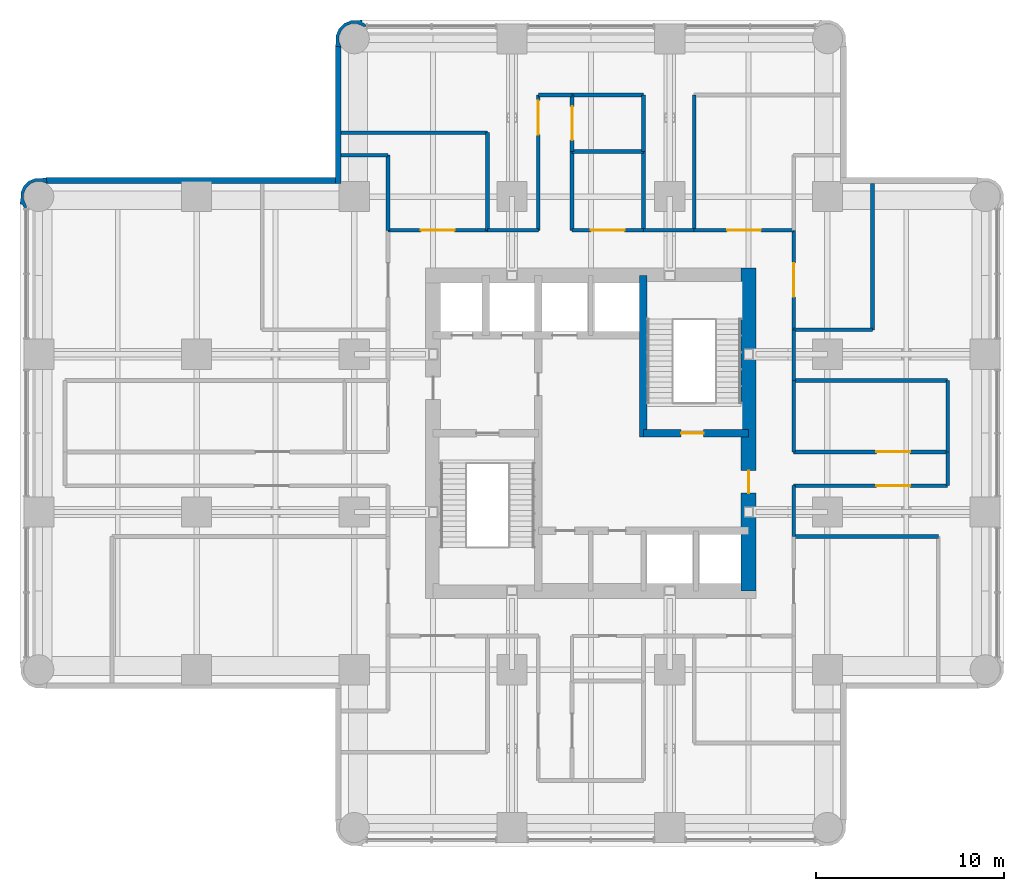
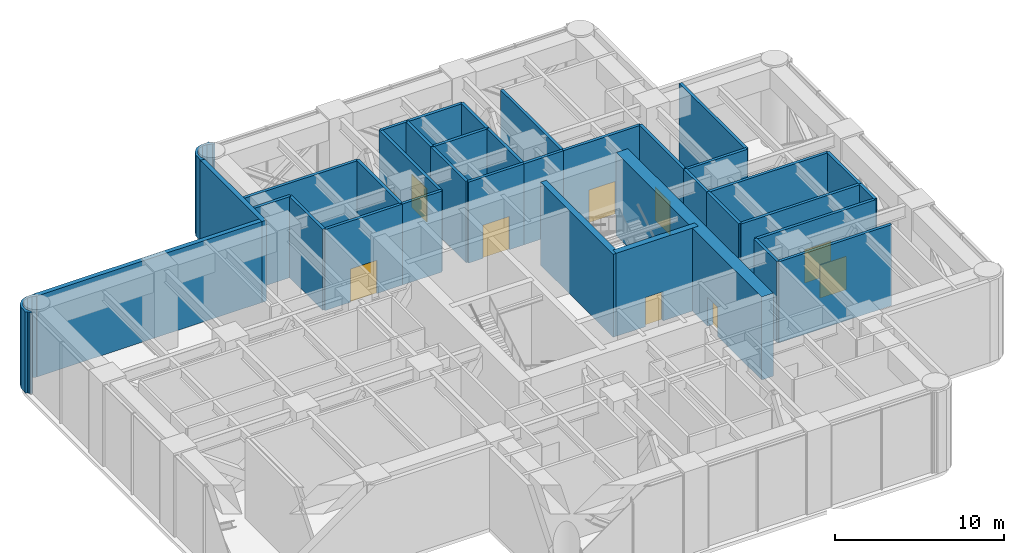
# One storey, part 9 of 12: 37 walls, 10 doors, 10 openings.
"""IFC4 building model written with IfcOpenShell, lengths in metres."""

from ifc_helpers import new_model, si_unit, direction, frame, frame_2d, origin, place, context, subcontext, project, spatial, polyline, rectangle, outline, extrude, material, layer, layer_set, type_object, element, fill, save


model = new_model("IFC4")

# Units and contexts
model_context = context("Model", 3, precision=1e-05, world=origin(), true_north=direction((0.0, 1.0)))
body_context = subcontext(model_context, "Body", "Model", "MODEL_VIEW")
ifc_project = project(units=[si_unit("LENGTHUNIT", "METRE"), si_unit("AREAUNIT", "SQUARE_METRE"), si_unit("VOLUMEUNIT", "CUBIC_METRE"), si_unit("PLANEANGLEUNIT", "RADIAN"), si_unit("MASSUNIT", "GRAM", prefix="KILO")], contexts=[model_context])

# Site, building, storey
site_placement = place(None, origin())
site = spatial("IfcSite", under=ifc_project, at=site_placement, CompositionType="ELEMENT")
building_placement = place(site_placement, origin())
building = spatial("IfcBuilding", under=site, at=building_placement, Name="Torre Alcanfor", CompositionType="ELEMENT")
storey_placement = place(building_placement, frame((0.0, 0.0, 248.10009765625)))
storey = spatial("IfcBuildingStorey", under=building, at=storey_placement, Name="L65", CompositionType="ELEMENT", Elevation=248.10009765625)

# Wall
ifc_material_1 = material(Name="Concrete f'c 70 MPa", Category="concrete")
ifc_layer_1 = layer(ifc_material_1, 0.39990234375)
ifc_layer_set_1 = layer_set([ifc_layer_1], Name="Core inner wall 400 f'c70")
wall_type_1 = type_object("IfcWallType", Name="Core inner wall 400 f'c70", PredefinedType="SHEAR", material=ifc_layer_set_1)
wall_1_placement = place(storey_placement, frame((32.199951171875, 29.199951171875, 0.0), z_axis=(0.0, 0.0, 1.0), x_axis=(0.0, 1.0, 0.0)))
element("IfcWall", 1, at=wall_1_placement, inside=storey, type_object=wall_type_1, Name="Core wall X322N L65", PredefinedType="SHEAR", context=body_context, shape_type="SweptSolid", body=[
    extrude(rectangle(XDim=8.60009765625, YDim=0.39990234375, at=frame_2d((4.300048828125, 0.0))), origin(), (0.0, 0.0, 1.0), 6.0),
])

# Wall, opening, door
wall_2_placement = place(storey_placement, frame((32.199951171875, 29.39990234375, 0.0), z_axis=(0.0, 0.0, 1.0), x_axis=(1.0, 0.0, 0.0)))
wall_2 = element("IfcWall", 2, at=wall_2_placement, inside=storey, type_object=wall_type_1, Name="Core wall Y294E L65", PredefinedType="SHEAR", context=body_context, shape_type="SweptSolid", body=[
    extrude(rectangle(XDim=5.60009765625, YDim=0.39990234375, at=frame_2d((2.800048828125, 0.0))), origin(), (0.0, 0.0, 1.0), 6.0),
])
opening_1_placement = place(wall_2_placement, frame((2.0, 0.0, 0.0)))
opening_1 = element("IfcOpeningElement", 3, at=opening_1_placement, cuts=wall_2, Name="Opening D-S2", PredefinedType="OPENING", context=body_context, shape_type="SweptSolid", body=[
    extrude(rectangle(XDim=1.199951171875, YDim=2.10009765625, at=frame_2d((0.60009765625, 1.050048828125))), frame((0.0, 0.2099609375, 0.0), z_axis=(0.0, -1.0, 0.0), x_axis=(1.0, 0.0, 0.0)), (0.0, 0.0, 1.0), 0.419921875),
])
ifc_material_2 = material(Name="Galvanised steel sheet ASTM A653", Category="steel")
door_type_1 = type_object("IfcDoorType", Name="Stair enclosure door FD120 1200x2100", OperationType="SINGLE_SWING_LEFT", PredefinedType="DOOR", material=ifc_material_2)
door_1_placement = place(opening_1_placement, origin())
door_1 = element("IfcDoor", 4, at=door_1_placement, inside=storey, type_object=door_type_1, Name="Stair S2 door L65", OperationType="SINGLE_SWING_LEFT", OverallHeight=2.10009765625, OverallWidth=1.199951171875, PredefinedType="DOOR", context=body_context, shape_type="SweptSolid", body=[
    extrude(rectangle(XDim=1.199951171875, YDim=2.10009765625, at=frame_2d((0.60009765625, 1.050048828125))), frame((0.0, 0.02490234375, 0.0), z_axis=(0.0, -1.0, 0.0), x_axis=(1.0, 0.0, 0.0)), (0.0, 0.0, 1.0), 0.050048828125),
])
fill(opening_1, door_1)

ifc_material_3 = material(Name="Concrete f'c 70 MPa", Category="concrete")
ifc_layer_2 = layer(ifc_material_3, 0.800048828125)
ifc_layer_set_2 = layer_set([ifc_layer_2], Name="Core wall 800 f'c70")
wall_type_2 = type_object("IfcWallType", Name="Core wall 800 f'c70", PredefinedType="SHEAR", material=ifc_layer_set_2)
wall_3_placement = place(storey_placement, frame((37.800048828125, 21.0, 0.0), z_axis=(0.0, 0.0, 1.0), x_axis=(0.0, 1.0, 0.0)))
wall_3 = element("IfcWall", 5, at=wall_3_placement, inside=storey, type_object=wall_type_2, Name="Core wall OUT-E L65", PredefinedType="SHEAR", context=body_context, shape_type="SweptSolid", body=[
    extrude(rectangle(XDim=17.199951171875, YDim=0.800048828125, at=frame_2d((8.60009765625, 0.0))), origin(), (0.0, 0.0, 1.0), 6.0),
])
opening_2_placement = place(wall_3_placement, frame((5.199951171875, 0.0, 0.0)))
opening_2 = element("IfcOpeningElement", 6, at=opening_2_placement, cuts=wall_3, Name="Opening D-L1", PredefinedType="OPENING", context=body_context, shape_type="SweptSolid", body=[
    extrude(rectangle(XDim=1.199951171875, YDim=2.10009765625, at=frame_2d((0.60009765625, 1.050048828125))), frame((0.0, 0.409912109375, 0.0), z_axis=(0.0, -1.0, 0.0), x_axis=(1.0, 0.0, 0.0)), (0.0, 0.0, 1.0), 0.820068359375),
])
ifc_material_4 = material(Name="Galvanised steel sheet ASTM A653", Category="steel")
door_type_2 = type_object("IfcDoorType", Name="Lobby door FD120 1200x2100", OperationType="SINGLE_SWING_LEFT", PredefinedType="DOOR", material=ifc_material_4)
door_2_placement = place(opening_2_placement, origin())
door_2 = element("IfcDoor", 7, at=door_2_placement, inside=storey, type_object=door_type_2, Name="Lift lobby entrance door L65", OperationType="SINGLE_SWING_LEFT", OverallHeight=2.10009765625, OverallWidth=1.199951171875, PredefinedType="DOOR", context=body_context, shape_type="SweptSolid", body=[
    extrude(rectangle(XDim=1.199951171875, YDim=2.10009765625, at=frame_2d((0.60009765625, 1.050048828125))), frame((0.0, 0.02490234375, 0.0), z_axis=(0.0, -1.0, 0.0), x_axis=(1.0, 0.0, 0.0)), (0.0, 0.0, 1.0), 0.050048828125),
])
fill(opening_2, door_2)

# Walls
ifc_material_5 = material(Name="Limestone cladding", Category="masonry")
ifc_layer_3 = layer(ifc_material_5, 0.0400390625, Name="Facing")
ifc_material_6 = material(Name="Ventilated air cavity")
ifc_layer_4 = layer(ifc_material_6, 0.02001953125, ventilated=True, Name="Ventilated joint")
ifc_material_7 = material(Name="Mineral wool insulation", Category="insulation")
ifc_layer_5 = layer(ifc_material_7, 0.10009765625, Name="Insulation")
ifc_material_8 = material(Name="Concrete f'c 35 MPa", Category="concrete")
ifc_layer_6 = layer(ifc_material_8, 0.139892578125, Name="Backing")
ifc_layer_set_3 = layer_set([ifc_layer_3, ifc_layer_4, ifc_layer_5, ifc_layer_6], Name="External wall stone-clad 300")
wall_type_3 = type_object("IfcWallType", Name="External wall stone-clad 300", PredefinedType="SOLIDWALL", material=ifc_layer_set_3)
wall_4_placement = place(storey_placement, frame((15.800048828125, 42.85009765625, 0.0), z_axis=(0.0, 0.0, 1.0), x_axis=(-1.0, 0.0, 0.0)))
element("IfcWall", 8, at=wall_4_placement, inside=storey, type_object=wall_type_3, Name="External wall L65 1", PredefinedType="SOLIDWALL", context=body_context, shape_type="SweptSolid", body=[
    extrude(rectangle(XDim=15.400146484375, YDim=0.300048828125, at=frame_2d((7.7001953125, 0.0))), origin(), (0.0, 0.0, 1.0), 5.849853515625),
])
wall_5_placement = place(storey_placement, frame((15.949951171875, 50.0, 0.0), z_axis=(0.0, 0.0, 1.0), x_axis=(0.0, -1.0, 0.0)))
element("IfcWall", 9, at=wall_5_placement, inside=storey, type_object=wall_type_3, Name="External wall L65 12", PredefinedType="SOLIDWALL", context=body_context, shape_type="SweptSolid", body=[
    extrude(rectangle(XDim=7.300048828125, YDim=0.300048828125, at=frame_2d((3.64990234375, 0.0))), origin(), (0.0, 0.0, 1.0), 5.849853515625),
])

# Wall, opening, door
ifc_material_9 = material(Name="Concrete block masonry, hollow blocks NMX-C-404 9 MPa", Category="masonry")
ifc_layer_7 = layer(ifc_material_9, 0.199951171875)
ifc_layer_set_4 = layer_set([ifc_layer_7], Name="Plant room wall 200 EI 60")
wall_type_4 = type_object("IfcWallType", Name="Plant room wall 200 EI 60", PredefinedType="PARTITIONING", material=ifc_layer_set_4)
wall_6_placement = place(storey_placement, frame((18.60009765625, 40.199951171875, 0.0), z_axis=(0.0, 0.0, 1.0), x_axis=(1.0, 0.0, 0.0)))
wall_6 = element("IfcWall", 10, at=wall_6_placement, inside=storey, type_object=wall_type_4, Name="Partition L65-CORR / L65-N1", PredefinedType="PARTITIONING", context=body_context, shape_type="SweptSolid", body=[
    extrude(rectangle(XDim=5.2998046875, YDim=0.199951171875, at=frame_2d((2.64990234375, 0.0))), origin(), (0.0, 0.0, 1.0), 5.849853515625),
])
opening_3_placement = place(wall_6_placement, frame((1.75, 0.0, 0.0)))
opening_3 = element("IfcOpeningElement", 11, at=opening_3_placement, cuts=wall_6, Name="Opening D-P1", PredefinedType="OPENING", context=body_context, shape_type="SweptSolid", body=[
    extrude(rectangle(XDim=1.800048828125, YDim=2.39990234375, at=frame_2d((0.89990234375, 1.199951171875))), frame((0.0, 0.10986328125, 0.0), z_axis=(0.0, -1.0, 0.0), x_axis=(1.0, 0.0, 0.0)), (0.0, 0.0, 1.0), 0.219970703125),
])
ifc_material_10 = material(Name="Galvanised steel sheet ASTM A653", Category="steel")
door_type_3 = type_object("IfcDoorType", Name="Plant room door FD60 1800x2400", OperationType="DOUBLE_DOOR_SINGLE_SWING", PredefinedType="DOOR", material=ifc_material_10)
door_3_placement = place(opening_3_placement, origin())
door_3 = element("IfcDoor", 12, at=door_3_placement, inside=storey, type_object=door_type_3, Name="Door L65-N1 chilled water heat exchanger room", OperationType="DOUBLE_DOOR_SINGLE_SWING", OverallHeight=2.39990234375, OverallWidth=1.800048828125, PredefinedType="DOOR", context=body_context, shape_type="SweptSolid", body=[
    extrude(rectangle(XDim=1.800048828125, YDim=2.39990234375, at=frame_2d((0.89990234375, 1.199951171875))), frame((0.0, 0.02490234375, 0.0), z_axis=(0.0, -1.0, 0.0), x_axis=(1.0, 0.0, 0.0)), (0.0, 0.0, 1.0), 0.050048828125),
])
fill(opening_3, door_3)

wall_7_placement = place(storey_placement, frame((34.89990234375, 40.199951171875, 0.0), z_axis=(0.0, 0.0, 1.0), x_axis=(1.0, 0.0, 0.0)))
wall_7 = element("IfcWall", 13, at=wall_7_placement, inside=storey, type_object=wall_type_4, Name="Partition L65-CORR / L65-N2", PredefinedType="PARTITIONING", context=body_context, shape_type="SweptSolid", body=[
    extrude(rectangle(XDim=5.300048828125, YDim=0.199951171875, at=frame_2d((2.64990234375, 0.0))), origin(), (0.0, 0.0, 1.0), 5.849853515625),
])
opening_4_placement = place(wall_7_placement, frame((1.75, 0.0, 0.0)))
opening_4 = element("IfcOpeningElement", 14, at=opening_4_placement, cuts=wall_7, Name="Opening D-P1", PredefinedType="OPENING", context=body_context, shape_type="SweptSolid", body=[
    extrude(rectangle(XDim=1.800048828125, YDim=2.39990234375, at=frame_2d((0.89990234375, 1.199951171875))), frame((0.0, 0.10986328125, 0.0), z_axis=(0.0, -1.0, 0.0), x_axis=(1.0, 0.0, 0.0)), (0.0, 0.0, 1.0), 0.219970703125),
])
door_4_placement = place(opening_4_placement, origin())
door_4 = element("IfcDoor", 15, at=door_4_placement, inside=storey, type_object=door_type_3, Name="Door L65-N2 smoke extract fan plant room", OperationType="DOUBLE_DOOR_SINGLE_SWING", OverallHeight=2.39990234375, OverallWidth=1.800048828125, PredefinedType="DOOR", context=body_context, shape_type="SweptSolid", body=[
    extrude(rectangle(XDim=1.800048828125, YDim=2.39990234375, at=frame_2d((0.89990234375, 1.199951171875))), frame((0.0, 0.02490234375, 0.0), z_axis=(0.0, -1.0, 0.0), x_axis=(1.0, 0.0, 0.0)), (0.0, 0.0, 1.0), 0.050048828125),
])
fill(opening_4, door_4)

wall_8_placement = place(storey_placement, frame((28.39990234375, 40.199951171875, 0.0), z_axis=(0.0, 0.0, 1.0), x_axis=(1.0, 0.0, 0.0)))
wall_8 = element("IfcWall", 16, at=wall_8_placement, inside=storey, type_object=wall_type_4, Name="Partition L65-CORR / L65-N3", PredefinedType="PARTITIONING", context=body_context, shape_type="SweptSolid", body=[
    extrude(rectangle(XDim=3.800048828125, YDim=0.199951171875, at=frame_2d((1.89990234375, 0.0))), origin(), (0.0, 0.0, 1.0), 5.849853515625),
])
opening_5_placement = place(wall_8_placement, frame((1.0, 0.0, 0.0)))
opening_5 = element("IfcOpeningElement", 17, at=opening_5_placement, cuts=wall_8, Name="Opening D-P1", PredefinedType="OPENING", context=body_context, shape_type="SweptSolid", body=[
    extrude(rectangle(XDim=1.800048828125, YDim=2.39990234375, at=frame_2d((0.89990234375, 1.199951171875))), frame((0.0, 0.10986328125, 0.0), z_axis=(0.0, -1.0, 0.0), x_axis=(1.0, 0.0, 0.0)), (0.0, 0.0, 1.0), 0.219970703125),
])
door_5_placement = place(opening_5_placement, origin())
door_5 = element("IfcDoor", 18, at=door_5_placement, inside=storey, type_object=door_type_3, Name="Door L65-N3 lv switch room", OperationType="DOUBLE_DOOR_SINGLE_SWING", OverallHeight=2.39990234375, OverallWidth=1.800048828125, PredefinedType="DOOR", context=body_context, shape_type="SweptSolid", body=[
    extrude(rectangle(XDim=1.800048828125, YDim=2.39990234375, at=frame_2d((0.89990234375, 1.199951171875))), frame((0.0, 0.02490234375, 0.0), z_axis=(0.0, -1.0, 0.0), x_axis=(1.0, 0.0, 0.0)), (0.0, 0.0, 1.0), 0.050048828125),
])
fill(opening_5, door_5)

# Walls
wall_9_placement = place(storey_placement, frame((23.89990234375, 40.199951171875, 0.0), z_axis=(0.0, 0.0, 1.0), x_axis=(1.0, 0.0, 0.0)))
element("IfcWall", 19, at=wall_9_placement, inside=storey, type_object=wall_type_4, Name="Partition L65-CORR / L65-NH", PredefinedType="PARTITIONING", context=body_context, shape_type="SweptSolid", body=[
    extrude(rectangle(XDim=2.7001953125, YDim=0.199951171875, at=frame_2d((1.35009765625, 0.0))), origin(), (0.0, 0.0, 1.0), 5.849853515625),
])
wall_10_placement = place(storey_placement, frame((32.199951171875, 40.199951171875, 0.0), z_axis=(0.0, 0.0, 1.0), x_axis=(1.0, 0.0, 0.0)))
element("IfcWall", 20, at=wall_10_placement, inside=storey, type_object=wall_type_4, Name="Partition L65-CORR / L65-NH", PredefinedType="PARTITIONING", context=body_context, shape_type="SweptSolid", body=[
    extrude(rectangle(XDim=2.699951171875, YDim=0.199951171875, at=frame_2d((1.35009765625, 0.0))), origin(), (0.0, 0.0, 1.0), 5.849853515625),
])

# Wall, opening, door
wall_11_placement = place(storey_placement, frame((40.199951171875, 40.199951171875, 0.0), z_axis=(0.0, 0.0, 1.0), x_axis=(0.0, -1.0, 0.0)))
wall_11 = element("IfcWall", 21, at=wall_11_placement, inside=storey, type_object=wall_type_4, Name="Partition L65-CORR / L65-E2", PredefinedType="PARTITIONING", context=body_context, shape_type="SweptSolid", body=[
    extrude(rectangle(XDim=5.300048828125, YDim=0.199951171875, at=frame_2d((2.64990234375, 0.0))), origin(), (0.0, 0.0, 1.0), 5.849853515625),
])
opening_6_placement = place(wall_11_placement, frame((1.75, 0.0, 0.0)))
opening_6 = element("IfcOpeningElement", 22, at=opening_6_placement, cuts=wall_11, Name="Opening D-P1", PredefinedType="OPENING", context=body_context, shape_type="SweptSolid", body=[
    extrude(rectangle(XDim=1.800048828125, YDim=2.39990234375, at=frame_2d((0.89990234375, 1.199951171875))), frame((0.0, 0.10986328125, 0.0), z_axis=(0.0, -1.0, 0.0), x_axis=(1.0, 0.0, 0.0)), (0.0, 0.0, 1.0), 0.219970703125),
])
door_6_placement = place(opening_6_placement, origin())
door_6 = element("IfcDoor", 23, at=door_6_placement, inside=storey, type_object=door_type_3, Name="Door L65-E2 chilled water pump room", OperationType="DOUBLE_DOOR_SINGLE_SWING", OverallHeight=2.39990234375, OverallWidth=1.800048828125, PredefinedType="DOOR", context=body_context, shape_type="SweptSolid", body=[
    extrude(rectangle(XDim=1.800048828125, YDim=2.39990234375, at=frame_2d((0.89990234375, 1.199951171875))), frame((0.0, 0.02490234375, 0.0), z_axis=(0.0, -1.0, 0.0), x_axis=(1.0, 0.0, 0.0)), (0.0, 0.0, 1.0), 0.050048828125),
])
fill(opening_6, door_6)

# Walls
wall_12_placement = place(storey_placement, frame((40.199951171875, 32.199951171875, 0.0), z_axis=(0.0, 0.0, 1.0), x_axis=(0.0, -1.0, 0.0)))
element("IfcWall", 24, at=wall_12_placement, inside=storey, type_object=wall_type_4, Name="Partition L65-CORR / L65-E3", PredefinedType="PARTITIONING", context=body_context, shape_type="SweptSolid", body=[
    extrude(rectangle(XDim=3.800048828125, YDim=0.199951171875, at=frame_2d((1.89990234375, 0.0))), origin(), (0.0, 0.0, 1.0), 5.849853515625),
])
wall_13_placement = place(storey_placement, frame((40.199951171875, 26.60009765625, 0.0), z_axis=(0.0, 0.0, 1.0), x_axis=(0.0, -1.0, 0.0)))
element("IfcWall", 25, at=wall_13_placement, inside=storey, type_object=wall_type_4, Name="Partition L65-CORR / L65-EH", PredefinedType="PARTITIONING", context=body_context, shape_type="SweptSolid", body=[
    extrude(rectangle(XDim=2.7001953125, YDim=0.199951171875, at=frame_2d((1.35009765625, 0.0))), origin(), (0.0, 0.0, 1.0), 5.849853515625),
])
wall_14_placement = place(storey_placement, frame((40.199951171875, 34.89990234375, 0.0), z_axis=(0.0, 0.0, 1.0), x_axis=(0.0, -1.0, 0.0)))
element("IfcWall", 26, at=wall_14_placement, inside=storey, type_object=wall_type_4, Name="Partition L65-CORR / L65-EH", PredefinedType="PARTITIONING", context=body_context, shape_type="SweptSolid", body=[
    extrude(rectangle(XDim=2.699951171875, YDim=0.199951171875, at=frame_2d((1.35009765625, 0.0))), origin(), (0.0, 0.0, 1.0), 5.849853515625),
])
wall_15_placement = place(storey_placement, frame((16.10009765625, 45.39990234375, 0.0), z_axis=(0.0, 0.0, 1.0), x_axis=(1.0, 0.0, 0.0)))
element("IfcWall", 27, at=wall_15_placement, inside=storey, type_object=wall_type_4, Name="Partition L65-N1 / L65-NH", PredefinedType="PARTITIONING", context=body_context, shape_type="SweptSolid", body=[
    extrude(rectangle(XDim=7.7998046875, YDim=0.199951171875, at=frame_2d((3.89990234375, 0.0))), origin(), (0.0, 0.0, 1.0), 5.849853515625),
])
wall_16_placement = place(storey_placement, frame((23.89990234375, 45.39990234375, 0.0), z_axis=(0.0, 0.0, 1.0), x_axis=(0.0, -1.0, 0.0)))
element("IfcWall", 28, at=wall_16_placement, inside=storey, type_object=wall_type_4, Name="Partition L65-N1 / L65-NH", PredefinedType="PARTITIONING", context=body_context, shape_type="SweptSolid", body=[
    extrude(rectangle(XDim=5.199951171875, YDim=0.199951171875, at=frame_2d((2.60009765625, 0.0))), origin(), (0.0, 0.0, 1.0), 5.849853515625),
])
wall_17_placement = place(storey_placement, frame((18.60009765625, 40.199951171875, 0.0), z_axis=(0.0, 0.0, 1.0), x_axis=(0.0, 1.0, 0.0)))
element("IfcWall", 29, at=wall_17_placement, inside=storey, type_object=wall_type_4, Name="Partition L65-N1 / L65-W2", PredefinedType="PARTITIONING", context=body_context, shape_type="SweptSolid", body=[
    extrude(rectangle(XDim=4.0, YDim=0.199951171875, at=frame_2d((2.0, 0.0))), origin(), (0.0, 0.0, 1.0), 5.849853515625),
])
wall_18_placement = place(storey_placement, frame((18.60009765625, 44.199951171875, 0.0), z_axis=(0.0, 0.0, 1.0), x_axis=(-1.0, 0.0, 0.0)))
element("IfcWall", 30, at=wall_18_placement, inside=storey, type_object=wall_type_4, Name="Partition L65-N1 / L65-W2", PredefinedType="PARTITIONING", context=body_context, shape_type="SweptSolid", body=[
    extrude(rectangle(XDim=2.5, YDim=0.199951171875, at=frame_2d((1.25, 0.0))), origin(), (0.0, 0.0, 1.0), 5.849853515625),
])
wall_19_placement = place(storey_placement, frame((34.89990234375, 40.199951171875, 0.0), z_axis=(0.0, 0.0, 1.0), x_axis=(0.0, 1.0, 0.0)))
element("IfcWall", 31, at=wall_19_placement, inside=storey, type_object=wall_type_4, Name="Partition L65-N2 / L65-NH", PredefinedType="PARTITIONING", context=body_context, shape_type="SweptSolid", body=[
    extrude(rectangle(XDim=7.199951171875, YDim=0.199951171875, at=frame_2d((3.60009765625, 0.0))), origin(), (0.0, 0.0, 1.0), 5.849853515625),
])
wall_20_placement = place(storey_placement, frame((28.39990234375, 44.39990234375, 0.0), z_axis=(0.0, 0.0, 1.0), x_axis=(0.0, -1.0, 0.0)))
element("IfcWall", 32, at=wall_20_placement, inside=storey, type_object=wall_type_4, Name="Partition L65-NC / L65-N3", PredefinedType="PARTITIONING", context=body_context, shape_type="SweptSolid", body=[
    extrude(rectangle(XDim=4.199951171875, YDim=0.199951171875, at=frame_2d((2.10009765625, 0.0))), origin(), (0.0, 0.0, 1.0), 5.849853515625),
])

# Wall, opening, door
wall_21_placement = place(storey_placement, frame((28.39990234375, 47.39990234375, 0.0), z_axis=(0.0, 0.0, 1.0), x_axis=(0.0, -1.0, 0.0)))
wall_21 = element("IfcWall", 33, at=wall_21_placement, inside=storey, type_object=wall_type_4, Name="Partition L65-NC / L65-N4", PredefinedType="PARTITIONING", context=body_context, shape_type="SweptSolid", body=[
    extrude(rectangle(XDim=3.0, YDim=0.199951171875, at=frame_2d((1.5, 0.0))), origin(), (0.0, 0.0, 1.0), 5.849853515625),
])
opening_7_placement = place(wall_21_placement, frame((0.60009765625, 0.0, 0.0)))
opening_7 = element("IfcOpeningElement", 34, at=opening_7_placement, cuts=wall_21, Name="Opening D-P1", PredefinedType="OPENING", context=body_context, shape_type="SweptSolid", body=[
    extrude(rectangle(XDim=1.800048828125, YDim=2.39990234375, at=frame_2d((0.89990234375, 1.199951171875))), frame((0.0, 0.10986328125, 0.0), z_axis=(0.0, -1.0, 0.0), x_axis=(1.0, 0.0, 0.0)), (0.0, 0.0, 1.0), 0.219970703125),
])
door_7_placement = place(opening_7_placement, origin())
door_7 = element("IfcDoor", 35, at=door_7_placement, inside=storey, type_object=door_type_3, Name="Door L65-N4 plant store", OperationType="DOUBLE_DOOR_SINGLE_SWING", OverallHeight=2.39990234375, OverallWidth=1.800048828125, PredefinedType="DOOR", context=body_context, shape_type="SweptSolid", body=[
    extrude(rectangle(XDim=1.800048828125, YDim=2.39990234375, at=frame_2d((0.89990234375, 1.199951171875))), frame((0.0, 0.02490234375, 0.0), z_axis=(0.0, -1.0, 0.0), x_axis=(1.0, 0.0, 0.0)), (0.0, 0.0, 1.0), 0.050048828125),
])
fill(opening_7, door_7)

wall_22_placement = place(storey_placement, frame((26.60009765625, 40.199951171875, 0.0), z_axis=(0.0, 0.0, 1.0), x_axis=(0.0, 1.0, 0.0)))
wall_22 = element("IfcWall", 36, at=wall_22_placement, inside=storey, type_object=wall_type_4, Name="Partition L65-NC / L65-NH", PredefinedType="PARTITIONING", context=body_context, shape_type="SweptSolid", body=[
    extrude(rectangle(XDim=7.199951171875, YDim=0.199951171875, at=frame_2d((3.60009765625, 0.0))), origin(), (0.0, 0.0, 1.0), 5.849853515625),
])
opening_8_placement = place(wall_22_placement, frame((5.10009765625, 0.0, 0.0)))
opening_8 = element("IfcOpeningElement", 37, at=opening_8_placement, cuts=wall_22, Name="Opening D-P1", PredefinedType="OPENING", context=body_context, shape_type="SweptSolid", body=[
    extrude(rectangle(XDim=1.800048828125, YDim=2.39990234375, at=frame_2d((0.89990234375, 1.199951171875))), frame((0.0, 0.10986328125, 0.0), z_axis=(0.0, -1.0, 0.0), x_axis=(1.0, 0.0, 0.0)), (0.0, 0.0, 1.0), 0.219970703125),
])
door_8_placement = place(opening_8_placement, origin())
door_8 = element("IfcDoor", 38, at=door_8_placement, inside=storey, type_object=door_type_3, Name="Door L65-NH air handling plant room", OperationType="DOUBLE_DOOR_SINGLE_SWING", OverallHeight=2.39990234375, OverallWidth=1.800048828125, PredefinedType="DOOR", context=body_context, shape_type="SweptSolid", body=[
    extrude(rectangle(XDim=1.800048828125, YDim=2.39990234375, at=frame_2d((0.89990234375, 1.199951171875))), frame((0.0, 0.02490234375, 0.0), z_axis=(0.0, -1.0, 0.0), x_axis=(1.0, 0.0, 0.0)), (0.0, 0.0, 1.0), 0.050048828125),
])
fill(opening_8, door_8)

# Walls
wall_23_placement = place(storey_placement, frame((26.60009765625, 47.39990234375, 0.0), z_axis=(0.0, 0.0, 1.0), x_axis=(1.0, 0.0, 0.0)))
element("IfcWall", 39, at=wall_23_placement, inside=storey, type_object=wall_type_4, Name="Partition L65-NC / L65-NH", PredefinedType="PARTITIONING", context=body_context, shape_type="SweptSolid", body=[
    extrude(rectangle(XDim=1.7998046875, YDim=0.199951171875, at=frame_2d((0.89990234375, 0.0))), origin(), (0.0, 0.0, 1.0), 5.849853515625),
])
wall_24_placement = place(storey_placement, frame((28.39990234375, 44.39990234375, 0.0), z_axis=(0.0, 0.0, 1.0), x_axis=(1.0, 0.0, 0.0)))
element("IfcWall", 40, at=wall_24_placement, inside=storey, type_object=wall_type_4, Name="Partition L65-N3 / L65-N4", PredefinedType="PARTITIONING", context=body_context, shape_type="SweptSolid", body=[
    extrude(rectangle(XDim=3.800048828125, YDim=0.199951171875, at=frame_2d((1.89990234375, 0.0))), origin(), (0.0, 0.0, 1.0), 5.849853515625),
])
wall_25_placement = place(storey_placement, frame((32.199951171875, 44.39990234375, 0.0), z_axis=(0.0, 0.0, 1.0), x_axis=(0.0, -1.0, 0.0)))
element("IfcWall", 41, at=wall_25_placement, inside=storey, type_object=wall_type_4, Name="Partition L65-N3 / L65-NH", PredefinedType="PARTITIONING", context=body_context, shape_type="SweptSolid", body=[
    extrude(rectangle(XDim=4.199951171875, YDim=0.199951171875, at=frame_2d((2.10009765625, 0.0))), origin(), (0.0, 0.0, 1.0), 5.849853515625),
])
wall_26_placement = place(storey_placement, frame((28.39990234375, 47.39990234375, 0.0), z_axis=(0.0, 0.0, 1.0), x_axis=(1.0, 0.0, 0.0)))
element("IfcWall", 42, at=wall_26_placement, inside=storey, type_object=wall_type_4, Name="Partition L65-N4 / L65-NH", PredefinedType="PARTITIONING", context=body_context, shape_type="SweptSolid", body=[
    extrude(rectangle(XDim=3.800048828125, YDim=0.199951171875, at=frame_2d((1.89990234375, 0.0))), origin(), (0.0, 0.0, 1.0), 5.849853515625),
])
wall_27_placement = place(storey_placement, frame((32.199951171875, 47.39990234375, 0.0), z_axis=(0.0, 0.0, 1.0), x_axis=(0.0, -1.0, 0.0)))
element("IfcWall", 43, at=wall_27_placement, inside=storey, type_object=wall_type_4, Name="Partition L65-N4 / L65-NH", PredefinedType="PARTITIONING", context=body_context, shape_type="SweptSolid", body=[
    extrude(rectangle(XDim=3.0, YDim=0.199951171875, at=frame_2d((1.5, 0.0))), origin(), (0.0, 0.0, 1.0), 5.849853515625),
])
wall_28_placement = place(storey_placement, frame((40.199951171875, 23.89990234375, 0.0), z_axis=(0.0, 0.0, 1.0), x_axis=(1.0, 0.0, 0.0)))
element("IfcWall", 44, at=wall_28_placement, inside=storey, type_object=wall_type_4, Name="Partition L65-E1 / L65-EH", PredefinedType="PARTITIONING", context=body_context, shape_type="SweptSolid", body=[
    extrude(rectangle(XDim=7.699951171875, YDim=0.199951171875, at=frame_2d((3.85009765625, 0.0))), origin(), (0.0, 0.0, 1.0), 5.849853515625),
])
wall_29_placement = place(storey_placement, frame((44.39990234375, 42.699951171875, 0.0), z_axis=(0.0, 0.0, 1.0), x_axis=(0.0, -1.0, 0.0)))
element("IfcWall", 45, at=wall_29_placement, inside=storey, type_object=wall_type_4, Name="Partition L65-E2 / L65-EH", PredefinedType="PARTITIONING", context=body_context, shape_type="SweptSolid", body=[
    extrude(rectangle(XDim=7.800048828125, YDim=0.199951171875, at=frame_2d((3.89990234375, 0.0))), origin(), (0.0, 0.0, 1.0), 5.849853515625),
])
wall_30_placement = place(storey_placement, frame((44.39990234375, 34.89990234375, 0.0), z_axis=(0.0, 0.0, 1.0), x_axis=(-1.0, 0.0, 0.0)))
element("IfcWall", 46, at=wall_30_placement, inside=storey, type_object=wall_type_4, Name="Partition L65-E2 / L65-EH", PredefinedType="PARTITIONING", context=body_context, shape_type="SweptSolid", body=[
    extrude(rectangle(XDim=4.199951171875, YDim=0.199951171875, at=frame_2d((2.10009765625, 0.0))), origin(), (0.0, 0.0, 1.0), 5.849853515625),
])

# Wall, opening, door
wall_31_placement = place(storey_placement, frame((40.199951171875, 28.39990234375, 0.0), z_axis=(0.0, 0.0, 1.0), x_axis=(1.0, 0.0, 0.0)))
wall_31 = element("IfcWall", 47, at=wall_31_placement, inside=storey, type_object=wall_type_4, Name="Partition L65-EC / L65-E3", PredefinedType="PARTITIONING", context=body_context, shape_type="SweptSolid", body=[
    extrude(rectangle(XDim=8.199951171875, YDim=0.199951171875, at=frame_2d((4.10009765625, 0.0))), origin(), (0.0, 0.0, 1.0), 5.849853515625),
])
opening_9_placement = place(wall_31_placement, frame((4.39990234375, 0.0, 0.0)))
opening_9 = element("IfcOpeningElement", 48, at=opening_9_placement, cuts=wall_31, Name="Opening D-P1", PredefinedType="OPENING", context=body_context, shape_type="SweptSolid", body=[
    extrude(rectangle(XDim=1.800048828125, YDim=2.39990234375, at=frame_2d((0.89990234375, 1.199951171875))), frame((0.0, 0.10986328125, 0.0), z_axis=(0.0, -1.0, 0.0), x_axis=(1.0, 0.0, 0.0)), (0.0, 0.0, 1.0), 0.219970703125),
])
door_9_placement = place(opening_9_placement, origin())
door_9 = element("IfcDoor", 49, at=door_9_placement, inside=storey, type_object=door_type_3, Name="Door L65-E3 bms and communications room", OperationType="DOUBLE_DOOR_SINGLE_SWING", OverallHeight=2.39990234375, OverallWidth=1.800048828125, PredefinedType="DOOR", context=body_context, shape_type="SweptSolid", body=[
    extrude(rectangle(XDim=1.800048828125, YDim=2.39990234375, at=frame_2d((0.89990234375, 1.199951171875))), frame((0.0, 0.02490234375, 0.0), z_axis=(0.0, -1.0, 0.0), x_axis=(1.0, 0.0, 0.0)), (0.0, 0.0, 1.0), 0.050048828125),
])
fill(opening_9, door_9)

# Wall
wall_32_placement = place(storey_placement, frame((48.39990234375, 28.39990234375, 0.0), z_axis=(0.0, 0.0, 1.0), x_axis=(0.0, -1.0, 0.0)))
element("IfcWall", 50, at=wall_32_placement, inside=storey, type_object=wall_type_4, Name="Partition L65-EC / L65-EH", PredefinedType="PARTITIONING", context=body_context, shape_type="SweptSolid", body=[
    extrude(rectangle(XDim=1.7998046875, YDim=0.199951171875, at=frame_2d((0.89990234375, 0.0))), origin(), (0.0, 0.0, 1.0), 5.849853515625),
])

# Wall, opening, door
wall_33_placement = place(storey_placement, frame((48.39990234375, 26.60009765625, 0.0), z_axis=(0.0, 0.0, 1.0), x_axis=(-1.0, 0.0, 0.0)))
wall_33 = element("IfcWall", 51, at=wall_33_placement, inside=storey, type_object=wall_type_4, Name="Partition L65-EC / L65-EH", PredefinedType="PARTITIONING", context=body_context, shape_type="SweptSolid", body=[
    extrude(rectangle(XDim=8.199951171875, YDim=0.199951171875, at=frame_2d((4.10009765625, 0.0))), origin(), (0.0, 0.0, 1.0), 5.849853515625),
])
opening_10_placement = place(wall_33_placement, frame((2.0, 0.0, 0.0)))
opening_10 = element("IfcOpeningElement", 52, at=opening_10_placement, cuts=wall_33, Name="Opening D-P1", PredefinedType="OPENING", context=body_context, shape_type="SweptSolid", body=[
    extrude(rectangle(XDim=1.800048828125, YDim=2.39990234375, at=frame_2d((0.89990234375, 1.199951171875))), frame((0.0, 0.10986328125, 0.0), z_axis=(0.0, -1.0, 0.0), x_axis=(1.0, 0.0, 0.0)), (0.0, 0.0, 1.0), 0.219970703125),
])
door_10_placement = place(opening_10_placement, origin())
door_10 = element("IfcDoor", 53, at=door_10_placement, inside=storey, type_object=door_type_3, Name="Door L65-EH air handling plant room", OperationType="DOUBLE_DOOR_SINGLE_SWING", OverallHeight=2.39990234375, OverallWidth=1.800048828125, PredefinedType="DOOR", context=body_context, shape_type="SweptSolid", body=[
    extrude(rectangle(XDim=1.800048828125, YDim=2.39990234375, at=frame_2d((0.89990234375, 1.199951171875))), frame((0.0, 0.02490234375, 0.0), z_axis=(0.0, -1.0, 0.0), x_axis=(1.0, 0.0, 0.0)), (0.0, 0.0, 1.0), 0.050048828125),
])
fill(opening_10, door_10)

# Walls
wall_34_placement = place(storey_placement, frame((40.199951171875, 32.199951171875, 0.0), z_axis=(0.0, 0.0, 1.0), x_axis=(1.0, 0.0, 0.0)))
element("IfcWall", 54, at=wall_34_placement, inside=storey, type_object=wall_type_4, Name="Partition L65-E3 / L65-EH", PredefinedType="PARTITIONING", context=body_context, shape_type="SweptSolid", body=[
    extrude(rectangle(XDim=8.199951171875, YDim=0.199951171875, at=frame_2d((4.10009765625, 0.0))), origin(), (0.0, 0.0, 1.0), 5.849853515625),
])
wall_35_placement = place(storey_placement, frame((48.39990234375, 32.199951171875, 0.0), z_axis=(0.0, 0.0, 1.0), x_axis=(0.0, -1.0, 0.0)))
element("IfcWall", 55, at=wall_35_placement, inside=storey, type_object=wall_type_4, Name="Partition L65-E3 / L65-EH", PredefinedType="PARTITIONING", context=body_context, shape_type="SweptSolid", body=[
    extrude(rectangle(XDim=3.800048828125, YDim=0.199951171875, at=frame_2d((1.89990234375, 0.0))), origin(), (0.0, 0.0, 1.0), 5.849853515625),
])
ifc_layer_8 = layer(ifc_material_5, 0.0400390625, Name="Facing")
ifc_layer_9 = layer(ifc_material_6, 0.02001953125, ventilated=True, Name="Ventilated joint")
ifc_layer_10 = layer(ifc_material_7, 0.10009765625, Name="Insulation")
ifc_layer_11 = layer(ifc_material_8, 0.139892578125, Name="Backing")
ifc_layer_set_5 = layer_set([ifc_layer_8, ifc_layer_9, ifc_layer_10, ifc_layer_11], Name="Rounded corner pier stone-clad 300")
wall_type_5 = type_object("IfcWallType", Name="Rounded corner pier stone-clad 300", PredefinedType="SOLIDWALL", material=ifc_layer_set_5)
wall_36_placement = place(storey_placement, frame((0.326823795, 42.817059488, 0.0), z_axis=(0.0, 0.0, 1.0), x_axis=(-0.936905536785, 0.34958262992, 0.0)))
element("IfcWall", 56, at=wall_36_placement, inside=storey, type_object=wall_type_5, Name="Corner pier L65 13", PredefinedType="SOLIDWALL", context=body_context, shape_type="SweptSolid", body=[
    extrude(outline(polyline([(-0.004514871640256143, -0.19694496985782847), (0.26603662651738225, -0.05326008224724768), (0.5350309896177607, 0.047108368139875234), (0.8144324801774208, 0.30744853336650735), (0.973021136181554, 0.6548254650988004), (0.9867075415282669, 1.0364730471242543), (0.886339091141144, 1.3054674102246326), (0.8176798422184237, 1.6040128299188157), (0.6861871216343418, 1.573711540234363), (0.5928841650725016, 1.6736187416711525), (0.4809849048242555, 1.7248940982094343), (0.4089328432795112, 1.6980096918557406), (0.4606533202647123, 1.5593952496458516), (0.49834340327364096, 1.542188523858785), (0.7154118882685042, 1.3089203732160277), (0.8267047958406202, 1.0106477120911181), (0.8154940509254682, 0.6922029343341193), (0.6830022623650531, 0.4019892951653681), (0.44973411172229627, 0.18492081017050488), (0.15146145059738675, 0.07362790259838897), (-0.11686626243234399, 0.08321317578881623), (-0.12793440304918877, 0.07725930545595405), (-0.14646207601783728, 0.0703461723935757), (-0.004514871640256143, -0.19694496985782847)])), origin(), (0.0, 0.0, 1.0), 5.849853515625),
])
wall_37_placement = place(storey_placement, frame((17.376812181, 51.064595899, 0.0), z_axis=(0.0, 0.0, 1.0), x_axis=(-0.34958262992, 0.936905536785, 0.0)))
element("IfcWall", 57, at=wall_37_placement, inside=storey, type_object=wall_type_5, Name="Corner pier L65 20", PredefinedType="SOLIDWALL", context=body_context, shape_type="SweptSolid", body=[
    extrude(outline(polyline([(0.15141106086354586, -0.021206509168258666), (0.2444852807220693, 0.07878603959028843), (0.3759780013061511, 0.04848474990583594), (0.44486598693218793, 0.34694482227826107), (0.5453197846410687, 0.6161679220819563), (0.531633379294356, 0.9978155041074099), (0.3730447232902227, 1.345192435839703), (0.09355788540880478, 1.6053038643630184), (-0.17566521439489036, 1.705757662071899), (-0.4462167125525287, 1.84944254968248), (-0.5881639169301098, 1.5821514074310759), (-0.5696362439614615, 1.5752382743686975), (-0.5583393666412999, 1.5691990567140774), (-0.29024039031488585, 1.5788696772262627), (0.008261007513340302, 1.467491422332389), (0.24152915815609724, 1.2504229373375257), (0.3738775573349535, 0.9605233821938489), (0.3850883022501054, 0.6420786044368498), (0.2737100473562317, 0.34357720660862373), (0.05664156236136848, 0.11030905596586678), (0.019265563377514165, 0.09324571956035879), (-0.032540260929444696, -0.0455974593528468), (0.0392830639119829, -0.07239651838478268), (0.15141106086354586, -0.021206509168258666)])), origin(), (0.0, 0.0, 1.0), 5.849853515625),
])

save(model, "model.ifc")
